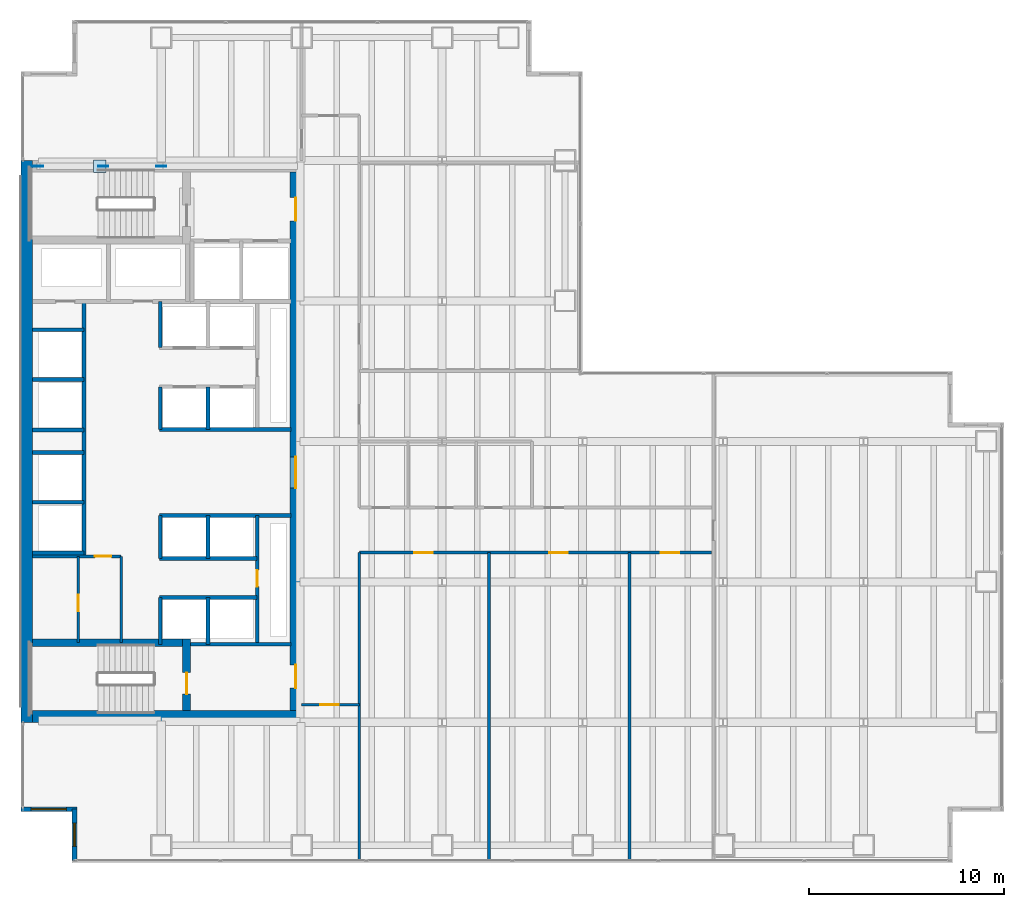
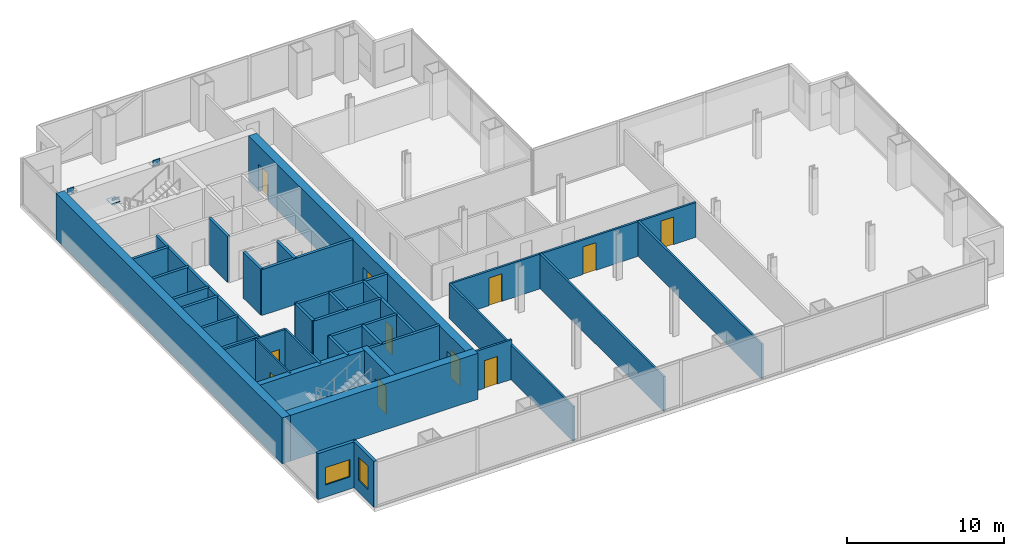
# One storey, part 20 of 25: 36 walls, 11 doors, 4 plates, 2 windows, 13 openings.
"""IFC4 building model written with IfcOpenShell, lengths in metres."""

from ifc_helpers import new_model, si_unit, direction, frame, frame_2d, origin, origin_2d, place, context, subcontext, project, spatial, rectangle, extrude, material, layer, layer_set, type_object, element, fill, save


model = new_model("IFC4")

# Units and contexts
model_context = context("Model", 3, precision=1e-05, world=origin(), true_north=direction((0.0, 1.0)))
body_context = subcontext(model_context, "Body", "Model", "MODEL_VIEW")
ifc_project = project(units=[si_unit("LENGTHUNIT", "METRE"), si_unit("AREAUNIT", "SQUARE_METRE"), si_unit("VOLUMEUNIT", "CUBIC_METRE"), si_unit("PLANEANGLEUNIT", "RADIAN"), si_unit("MASSUNIT", "GRAM", prefix="KILO")], contexts=[model_context])

# Site, building, storey
site_placement = place(None, origin())
site = spatial("IfcSite", under=ifc_project, at=site_placement, CompositionType="ELEMENT")
building_placement = place(site_placement, origin())
building = spatial("IfcBuilding", under=site, at=building_placement, Name="Cobrela Telecom Tower", CompositionType="ELEMENT")
storey_placement = place(building_placement, frame((0.0, 0.0, 42.699951171875)))
storey = spatial("IfcBuildingStorey", under=building, at=storey_placement, Name="L10", CompositionType="ELEMENT", Elevation=42.699951171875)

# Plates
ifc_material_1 = material(Name="Steel ASTM A572 Grade 50", Category="steel")
ifc_layer_1 = layer(ifc_material_1, 0.0419921875)
ifc_layer_set_1 = layer_set([ifc_layer_1], Name="Steel ASTM A572 Grade 50")
plate_type = type_object("IfcPlateType", Name="PLT-NODE-ND1", PredefinedType="USERDEFINED", material=ifc_layer_set_1)
for number, where, z_axis, x_axis, name in (
    (1, (7.199951171875, 35.699951171875, 3.35498046875), (0.0, 0.0, 1.0), (1.0, 0.0, 0.0), "Steel node plate PLT-MBR-EXO-L10-N1-A-1"),
    (2, (4.219482421875, 35.699951171875, 1.431640625), (0.0, 0.0, 1.0), (-1.0, 0.0, 0.0), "Steel node plate PLT-MBR-EXO-L10-N1-B1-1"),
    (3, (0.89990234375, 35.699951171875, 3.35498046875), (0.0, 0.0, 1.0), (-1.0, 0.0, 0.0), "Steel node plate PLT-MBR-EXO-L10-N1-B2-1"),
):
    element("IfcPlate", number, at=place(storey_placement, frame(where, z_axis=z_axis, x_axis=x_axis)), inside=storey, type_object=plate_type, Name=name, ObjectType="GUSSET PLATE", PredefinedType="USERDEFINED", context=body_context, shape_type="SweptSolid", body=[
        extrude(rectangle(XDim=0.510009765625, YDim=0.044921875, at=origin_2d()), origin(), (0.0, 0.0, 1.0), 0.510009765625),
    ])
plate_placement = place(storey_placement, frame((4.050048828125, 35.699951171875, 1.7626953125), z_axis=(0.0, 0.0, 1.0), x_axis=(1.0, 0.0, 0.0)))
element("IfcPlate", 4, at=plate_placement, inside=storey, type_object=plate_type, Name="L10 Core Flange Steel X-Brace Central X-Crossing Gusset Plate", ObjectType="GUSSET PLATE", PredefinedType="USERDEFINED", context=body_context, shape_type="SweptSolid", body=[
    extrude(rectangle(XDim=0.64990234375, YDim=0.64990234375, at=origin_2d()), origin(), (0.0, 0.0, 1.0), 0.044921875),
])

# Walls
ifc_material_2 = material(Name="Concrete C50/60", Category="concrete")
ifc_layer_2 = layer(ifc_material_2, 0.60009765625)
ifc_layer_set_2 = layer_set([ifc_layer_2], Name="Concrete C50/60")
wall_type_1 = type_object("IfcWallType", Name="WALL-CORE-C50-600", PredefinedType="SHEAR", material=ifc_layer_set_2)
wall_1_placement = place(storey_placement, frame((0.300048828125, 7.199951171875, 0.0), z_axis=(0.0, 0.0, 1.0), x_axis=(0.0, 1.0, 0.0)))
element("IfcWall", 5, at=wall_1_placement, inside=storey, type_object=wall_type_1, Name="L10 West Core Shear Wall", PredefinedType="SHEAR", context=body_context, shape_type="SweptSolid", body=[
    extrude(rectangle(XDim=28.800048828125, YDim=0.60009765625, at=frame_2d((14.39990234375, 0.0))), origin(), (0.0, 0.0, 1.0), 3.570068359375),
])
wall_2_placement = place(storey_placement, frame((0.60009765625, 7.5, 0.0), z_axis=(0.0, 0.0, 1.0), x_axis=(1.0, 0.0, 0.0)))
element("IfcWall", 6, at=wall_2_placement, inside=storey, type_object=wall_type_1, Name="L10 South Core Shear Wall", PredefinedType="SHEAR", context=body_context, shape_type="SweptSolid", body=[
    extrude(rectangle(XDim=13.7998046875, YDim=0.60009765625, at=frame_2d((6.89990234375, 0.0))), origin(), (0.0, 0.0, 1.0), 3.570068359375),
])

# Wall, openings, doors
wall_3_placement = place(storey_placement, frame((14.10009765625, 35.39990234375, 0.0), z_axis=(0.0, 0.0, 1.0), x_axis=(0.0, -1.0, 0.0)))
wall_3 = element("IfcWall", 7, at=wall_3_placement, inside=storey, type_object=wall_type_1, Name="L10 East Core Shear Wall", PredefinedType="SHEAR", context=body_context, shape_type="SweptSolid", body=[
    extrude(rectangle(XDim=27.599853515625, YDim=0.60009765625, at=frame_2d((13.7998046875, 0.0))), origin(), (0.0, 0.0, 1.0), 3.570068359375),
])
opening_1_placement = place(wall_3_placement, frame((1.300048828125, 0.0, 0.0)))
opening_1 = element("IfcOpeningElement", 8, at=opening_1_placement, cuts=wall_3, Name="Opening DR-19", PredefinedType="OPENING", context=body_context, shape_type="SweptSolid", body=[
    extrude(rectangle(XDim=1.199951171875, YDim=2.14990234375, at=frame_2d((0.60009765625, 1.074951171875))), frame((0.0, 0.31201171875, 0.0), z_axis=(0.0, -1.0, 0.0), x_axis=(1.0, 0.0, 0.0)), (0.0, 0.0, 1.0), 0.6240234375),
])
opening_2_placement = place(wall_3_placement, frame((25.25, 0.0, 0.0)))
opening_2 = element("IfcOpeningElement", 9, at=opening_2_placement, cuts=wall_3, Name="Opening DR-19", PredefinedType="OPENING", context=body_context, shape_type="SweptSolid", body=[
    extrude(rectangle(XDim=1.199951171875, YDim=2.14990234375, at=frame_2d((0.60009765625, 1.074951171875))), frame((0.0, 0.31201171875, 0.0), z_axis=(0.0, -1.0, 0.0), x_axis=(1.0, 0.0, 0.0)), (0.0, 0.0, 1.0), 0.6240234375),
])
opening_3_placement = place(wall_3_placement, frame((14.60009765625, 0.0, 0.0)))
opening_3 = element("IfcOpeningElement", 10, at=opening_3_placement, cuts=wall_3, Name="Opening DR-51", PredefinedType="OPENING", context=body_context, shape_type="SweptSolid", body=[
    extrude(rectangle(XDim=1.60009765625, YDim=2.199951171875, at=frame_2d((0.800048828125, 1.10009765625))), frame((0.0, 0.31201171875, 0.0), z_axis=(0.0, -1.0, 0.0), x_axis=(1.0, 0.0, 0.0)), (0.0, 0.0, 1.0), 0.6240234375),
])
ifc_material_3 = material(Name="Steel ASTM A36", Category="steel")
door_type_1 = type_object("IfcDoorType", Name="DOOR-FD60-1200", OperationType="SINGLE_SWING_LEFT", PredefinedType="DOOR", material=ifc_material_3)
door_1_placement = place(opening_1_placement, origin())
door_1 = element("IfcDoor", 11, at=door_1_placement, inside=storey, type_object=door_type_1, Name="L10 Door DR-19", OperationType="SINGLE_SWING_LEFT", OverallHeight=2.14990234375, OverallWidth=1.199951171875, PredefinedType="DOOR", context=body_context, shape_type="SweptSolid", body=[
    extrude(rectangle(XDim=1.199951171875, YDim=2.14990234375, at=frame_2d((0.60009765625, 1.074951171875))), frame((0.0, 0.02490234375, 0.0), z_axis=(0.0, -1.0, 0.0), x_axis=(1.0, 0.0, 0.0)), (0.0, 0.0, 1.0), 0.050048828125),
])
fill(opening_1, door_1)
door_2_placement = place(opening_2_placement, origin())
door_2 = element("IfcDoor", 12, at=door_2_placement, inside=storey, type_object=door_type_1, Name="L10 Door DR-19", OperationType="SINGLE_SWING_RIGHT", OverallHeight=2.14990234375, OverallWidth=1.199951171875, PredefinedType="DOOR", context=body_context, shape_type="SweptSolid", body=[
    extrude(rectangle(XDim=1.199951171875, YDim=2.14990234375, at=frame_2d((0.60009765625, 1.074951171875))), frame((0.0, 0.02490234375, 0.0), z_axis=(0.0, -1.0, 0.0), x_axis=(1.0, 0.0, 0.0)), (0.0, 0.0, 1.0), 0.050048828125),
])
fill(opening_2, door_2)
door_type_2 = type_object("IfcDoorType", Name="DOOR-FD60-1600", OperationType="SINGLE_SWING_LEFT", PredefinedType="DOOR", material=ifc_material_3)
door_3_placement = place(opening_3_placement, origin())
door_3 = element("IfcDoor", 13, at=door_3_placement, inside=storey, type_object=door_type_2, Name="L10 Door DR-51", OperationType="DOUBLE_DOOR_SINGLE_SWING", OverallHeight=2.199951171875, OverallWidth=1.60009765625, PredefinedType="DOOR", context=body_context, shape_type="SweptSolid", body=[
    extrude(rectangle(XDim=1.60009765625, YDim=2.199951171875, at=frame_2d((0.800048828125, 1.10009765625))), frame((0.0, 0.02490234375, 0.0), z_axis=(0.0, -1.0, 0.0), x_axis=(1.0, 0.0, 0.0)), (0.0, 0.0, 1.0), 0.050048828125),
])
fill(opening_3, door_3)

# Wall, opening, window
ifc_material_4 = material(Name="Concrete C40/50", Category="concrete")
ifc_layer_3 = layer(ifc_material_4, 0.239990234375)
ifc_layer_set_3 = layer_set([ifc_layer_3], Name="Concrete C40/50")
wall_type_2 = type_object("IfcWallType", Name="WALL-EXT-300", PredefinedType="STANDARD", material=ifc_layer_set_3)
wall_4_placement = place(storey_placement, frame((2.75, 0.1201171875, 0.0), z_axis=(0.0, 0.0, 1.0), x_axis=(0.0, 1.0, 0.0)))
wall_4 = element("IfcWall", 14, at=wall_4_placement, inside=storey, type_object=wall_type_2, Name="L10 Insulated Facade Wall 01", PredefinedType="STANDARD", context=body_context, shape_type="SweptSolid", body=[
    extrude(rectangle(XDim=2.6298828125, YDim=0.239990234375, at=frame_2d((1.31494140625, 0.0))), origin(), (0.0, 0.0, 1.0), 3.570068359375),
])
opening_4_placement = place(wall_4_placement, frame((0.715087890625, 0.0, 0.949951171875)))
opening_4 = element("IfcOpeningElement", 15, at=opening_4_placement, cuts=wall_4, Name="Opening WN-19", PredefinedType="OPENING", context=body_context, shape_type="SweptSolid", body=[
    extrude(rectangle(XDim=1.199951171875, YDim=1.800048828125, at=frame_2d((0.60009765625, 0.89990234375))), frame((0.0, 0.1318359375, 0.0), z_axis=(0.0, -1.0, 0.0), x_axis=(1.0, 0.0, 0.0)), (0.0, 0.0, 1.0), 0.263916015625),
])
ifc_material_5 = material(Name="Solar-Control Bronze Low-E Glass", Category="glass")
window_type_1 = type_object("IfcWindowType", Name="WIN-MOD-1200", PartitioningType="SINGLE_PANEL", PredefinedType="WINDOW", material=ifc_material_5)
window_1_placement = place(opening_4_placement, origin())
window_1 = element("IfcWindow", 16, at=window_1_placement, inside=storey, type_object=window_type_1, Name="L10 Corner Notch Facade Window 040", OverallHeight=1.800048828125, OverallWidth=1.199951171875, PartitioningType="SINGLE_PANEL", PredefinedType="WINDOW", context=body_context, shape_type="SweptSolid", body=[
    extrude(rectangle(XDim=1.199951171875, YDim=1.800048828125, at=frame_2d((0.60009765625, 0.89990234375))), frame((0.0, 0.030029296875, 0.0), z_axis=(0.0, -1.0, 0.0), x_axis=(1.0, 0.0, 0.0)), (0.0, 0.0, 1.0), 0.06005859375),
])
fill(opening_4, window_1)

wall_5_placement = place(storey_placement, frame((2.8701171875, 2.75, 0.0), z_axis=(0.0, 0.0, 1.0), x_axis=(-1.0, 0.0, 0.0)))
wall_5 = element("IfcWall", 17, at=wall_5_placement, inside=storey, type_object=wall_type_2, Name="L10 Insulated Facade Wall 02", PredefinedType="STANDARD", context=body_context, shape_type="SweptSolid", body=[
    extrude(rectangle(XDim=2.8701171875, YDim=0.239990234375, at=frame_2d((1.43505859375, 0.0))), origin(), (0.0, 0.0, 1.0), 3.570068359375),
])
opening_5_placement = place(wall_5_placement, frame((0.534912109375, 0.0, 0.949951171875)))
opening_5 = element("IfcOpeningElement", 18, at=opening_5_placement, cuts=wall_5, Name="Opening WN-27", PredefinedType="OPENING", context=body_context, shape_type="SweptSolid", body=[
    extrude(rectangle(XDim=1.800048828125, YDim=1.35009765625, at=frame_2d((0.89990234375, 0.675048828125))), frame((0.0, 0.1318359375, 0.0), z_axis=(0.0, -1.0, 0.0), x_axis=(1.0, 0.0, 0.0)), (0.0, 0.0, 1.0), 0.263916015625),
])
window_type_2 = type_object("IfcWindowType", Name="WIN-CLER-1800", PartitioningType="SINGLE_PANEL", PredefinedType="WINDOW", material=ifc_material_5)
window_2_placement = place(opening_5_placement, origin())
window_2 = element("IfcWindow", 19, at=window_2_placement, inside=storey, type_object=window_type_2, Name="L10 Corner Notch Facade Window 041", OverallHeight=1.35009765625, OverallWidth=1.800048828125, PartitioningType="SINGLE_PANEL", PredefinedType="WINDOW", context=body_context, shape_type="SweptSolid", body=[
    extrude(rectangle(XDim=1.800048828125, YDim=1.35009765625, at=frame_2d((0.89990234375, 0.675048828125))), frame((0.0, 0.030029296875, 0.0), z_axis=(0.0, -1.0, 0.0), x_axis=(1.0, 0.0, 0.0)), (0.0, 0.0, 1.0), 0.06005859375),
])
fill(opening_5, window_2)

# Wall, opening, door
ifc_material_6 = material(Name="Fire-Rated Gypsum Plasterboard")
ifc_layer_4 = layer(ifc_material_6, 0.125)
ifc_layer_set_4 = layer_set([ifc_layer_4], Name="Fire-Rated Gypsum Plasterboard")
wall_type_3 = type_object("IfcWallType", Name="WALL-PART-125", PredefinedType="PARTITIONING", material=ifc_layer_set_4)
wall_6_placement = place(storey_placement, frame((2.949951171875, 11.280029296875, 0.0), z_axis=(0.0, 0.0, 1.0), x_axis=(0.0, 1.0, 0.0)))
wall_6 = element("IfcWall", 20, at=wall_6_placement, inside=storey, type_object=wall_type_3, Name="L10 Interior Partition CW-FK1-V", PredefinedType="PARTITIONING", context=body_context, shape_type="SweptSolid", body=[
    extrude(rectangle(XDim=4.419921875, YDim=0.125, at=frame_2d((2.2099609375, 0.0))), origin(), (0.0, 0.0, 1.0), 3.570068359375),
])
opening_6_placement = place(wall_6_placement, frame((1.60009765625, 0.0, 0.0)))
opening_6 = element("IfcOpeningElement", 21, at=opening_6_placement, cuts=wall_6, Name="Opening DR-11", PredefinedType="OPENING", context=body_context, shape_type="SweptSolid", body=[
    extrude(rectangle(XDim=0.85009765625, YDim=2.14990234375, at=frame_2d((0.425048828125, 1.074951171875))), frame((0.0, 0.074462890625, 0.0), z_axis=(0.0, -1.0, 0.0), x_axis=(1.0, 0.0, 0.0)), (0.0, 0.0, 1.0), 0.14892578125),
])
ifc_material_7 = material(Name="Solid Engineered Oak Timber", Category="wood")
door_type_3 = type_object("IfcDoorType", Name="DOOR-INT-850", OperationType="SINGLE_SWING_LEFT", PredefinedType="DOOR", material=ifc_material_7)
door_4_placement = place(opening_6_placement, origin())
door_4 = element("IfcDoor", 22, at=door_4_placement, inside=storey, type_object=door_type_3, Name="L10 Door DR-11", OperationType="SINGLE_SWING_RIGHT", OverallHeight=2.14990234375, OverallWidth=0.85009765625, PredefinedType="DOOR", context=body_context, shape_type="SweptSolid", body=[
    extrude(rectangle(XDim=0.85009765625, YDim=2.14990234375, at=frame_2d((0.425048828125, 1.074951171875))), frame((0.0, 0.02490234375, 0.0), z_axis=(0.0, -1.0, 0.0), x_axis=(1.0, 0.0, 0.0)), (0.0, 0.0, 1.0), 0.050048828125),
])
fill(opening_6, door_4)

ifc_layer_5 = layer(ifc_material_6, 0.14990234375)
ifc_layer_set_5 = layer_set([ifc_layer_5], Name="Fire-Rated Gypsum Plasterboard")
wall_type_4 = type_object("IfcWallType", Name="WALL-PART-150", PredefinedType="PARTITIONING", material=ifc_layer_set_5)
wall_7_placement = place(storey_placement, frame((0.60009765625, 15.699951171875, 0.0), z_axis=(0.0, 0.0, 1.0), x_axis=(1.0, 0.0, 0.0)))
wall_7 = element("IfcWall", 23, at=wall_7_placement, inside=storey, type_object=wall_type_4, Name="L10 Interior Partition CW-FLEX-N", PredefinedType="PARTITIONING", context=body_context, shape_type="SweptSolid", body=[
    extrude(rectangle(XDim=4.5498046875, YDim=0.14990234375, at=frame_2d((2.27490234375, 0.0))), origin(), (0.0, 0.0, 1.0), 3.570068359375),
])
opening_7_placement = place(wall_7_placement, frame((3.199951171875, 0.0, 0.0)))
opening_7 = element("IfcOpeningElement", 24, at=opening_7_placement, cuts=wall_7, Name="Opening DR-11", PredefinedType="OPENING", context=body_context, shape_type="SweptSolid", body=[
    extrude(rectangle(XDim=0.85009765625, YDim=2.14990234375, at=frame_2d((0.425048828125, 1.074951171875))), frame((0.0, 0.0869140625, 0.0), z_axis=(0.0, -1.0, 0.0), x_axis=(1.0, 0.0, 0.0)), (0.0, 0.0, 1.0), 0.173828125),
])
door_5_placement = place(opening_7_placement, origin())
door_5 = element("IfcDoor", 25, at=door_5_placement, inside=storey, type_object=door_type_3, Name="L10 Door DR-11", OperationType="SINGLE_SWING_LEFT", OverallHeight=2.14990234375, OverallWidth=0.85009765625, PredefinedType="DOOR", context=body_context, shape_type="SweptSolid", body=[
    extrude(rectangle(XDim=0.85009765625, YDim=2.14990234375, at=frame_2d((0.425048828125, 1.074951171875))), frame((0.0, 0.02490234375, 0.0), z_axis=(0.0, -1.0, 0.0), x_axis=(1.0, 0.0, 0.0)), (0.0, 0.0, 1.0), 0.050048828125),
])
fill(opening_7, door_5)

# Wall
wall_8_placement = place(storey_placement, frame((5.14990234375, 11.280029296875, 0.0), z_axis=(0.0, 0.0, 1.0), x_axis=(0.0, 1.0, 0.0)))
element("IfcWall", 26, at=wall_8_placement, inside=storey, type_object=wall_type_4, Name="L10 Interior Partition CW-FLEX-E", PredefinedType="PARTITIONING", context=body_context, shape_type="SweptSolid", body=[
    extrude(rectangle(XDim=4.419921875, YDim=0.14990234375, at=frame_2d((2.2099609375, 0.0))), origin(), (0.0, 0.0, 1.0), 3.570068359375),
])

# Wall, opening, door
wall_9_placement = place(storey_placement, frame((14.39990234375, 8.10009765625, 0.0), z_axis=(0.0, 0.0, 1.0), x_axis=(1.0, 0.0, 0.0)))
wall_9 = element("IfcWall", 27, at=wall_9_placement, inside=storey, type_object=wall_type_4, Name="L10 Interior Partition W-C-S0", PredefinedType="PARTITIONING", context=body_context, shape_type="SweptSolid", body=[
    extrude(rectangle(XDim=2.9501953125, YDim=0.14990234375, at=frame_2d((1.47509765625, 0.0))), origin(), (0.0, 0.0, 1.0), 3.088134765625),
])
opening_8_placement = place(wall_9_placement, frame((0.949951171875, 0.0, 0.0)))
opening_8 = element("IfcOpeningElement", 28, at=opening_8_placement, cuts=wall_9, Name="Opening DR-67", PredefinedType="OPENING", context=body_context, shape_type="SweptSolid", body=[
    extrude(rectangle(XDim=0.949951171875, YDim=2.14990234375, at=frame_2d((0.47509765625, 1.074951171875))), frame((0.0, 0.0869140625, 0.0), z_axis=(0.0, -1.0, 0.0), x_axis=(1.0, 0.0, 0.0)), (0.0, 0.0, 1.0), 0.173828125),
])
door_type_4 = type_object("IfcDoorType", Name="DOOR-INT-950", OperationType="SINGLE_SWING_LEFT", PredefinedType="DOOR", material=ifc_material_7)
door_6_placement = place(opening_8_placement, origin())
door_6 = element("IfcDoor", 29, at=door_6_placement, inside=storey, type_object=door_type_4, Name="L10 Door DR-67", OperationType="SINGLE_SWING_RIGHT", OverallHeight=2.14990234375, OverallWidth=0.949951171875, PredefinedType="DOOR", context=body_context, shape_type="SweptSolid", body=[
    extrude(rectangle(XDim=0.949951171875, YDim=2.14990234375, at=frame_2d((0.47509765625, 1.074951171875))), frame((0.0, 0.02490234375, 0.0), z_axis=(0.0, -1.0, 0.0), x_axis=(1.0, 0.0, 0.0)), (0.0, 0.0, 1.0), 0.050048828125),
])
fill(opening_8, door_6)

# Wall
wall_10_placement = place(storey_placement, frame((17.35009765625, 8.10009765625, 0.0), z_axis=(0.0, 0.0, 1.0), x_axis=(0.0, 1.0, 0.0)))
element("IfcWall", 30, at=wall_10_placement, inside=storey, type_object=wall_type_4, Name="L10 Interior Partition W-C-E1", PredefinedType="PARTITIONING", context=body_context, shape_type="SweptSolid", body=[
    extrude(rectangle(XDim=7.7998046875, YDim=0.14990234375, at=frame_2d((3.89990234375, 0.0))), origin(), (0.0, 0.0, 1.0), 2.698974609375),
])

# Wall, openings, doors
wall_11_placement = place(storey_placement, frame((17.35009765625, 15.89990234375, 0.0), z_axis=(0.0, 0.0, 1.0), x_axis=(1.0, 0.0, 0.0)))
wall_11 = element("IfcWall", 31, at=wall_11_placement, inside=storey, type_object=wall_type_4, Name="L10 Interior Partition W-C-HS", PredefinedType="PARTITIONING", context=body_context, shape_type="SweptSolid", body=[
    extrude(rectangle(XDim=18.0498046875, YDim=0.14990234375, at=frame_2d((9.02490234375, 0.0))), origin(), (0.0, 0.0, 1.0), 2.698974609375),
])
opening_9_placement = place(wall_11_placement, frame((2.820068359375, 0.0, 0.0)))
opening_9 = element("IfcOpeningElement", 32, at=opening_9_placement, cuts=wall_11, Name="Opening DR-67", PredefinedType="OPENING", context=body_context, shape_type="SweptSolid", body=[
    extrude(rectangle(XDim=0.949951171875, YDim=2.14990234375, at=frame_2d((0.47509765625, 1.074951171875))), frame((0.0, 0.0869140625, 0.0), z_axis=(0.0, -1.0, 0.0), x_axis=(1.0, 0.0, 0.0)), (0.0, 0.0, 1.0), 0.173828125),
])
opening_10_placement = place(wall_11_placement, frame((9.75, 0.0, 0.0)))
opening_10 = element("IfcOpeningElement", 33, at=opening_10_placement, cuts=wall_11, Name="Opening DR-67", PredefinedType="OPENING", context=body_context, shape_type="SweptSolid", body=[
    extrude(rectangle(XDim=0.949951171875, YDim=2.14990234375, at=frame_2d((0.47509765625, 1.074951171875))), frame((0.0, 0.0869140625, 0.0), z_axis=(0.0, -1.0, 0.0), x_axis=(1.0, 0.0, 0.0)), (0.0, 0.0, 1.0), 0.173828125),
])
opening_11_placement = place(wall_11_placement, frame((15.449951171875, 0.0, 0.0)))
opening_11 = element("IfcOpeningElement", 34, at=opening_11_placement, cuts=wall_11, Name="Opening DR-67", PredefinedType="OPENING", context=body_context, shape_type="SweptSolid", body=[
    extrude(rectangle(XDim=0.949951171875, YDim=2.14990234375, at=frame_2d((0.47509765625, 1.074951171875))), frame((0.0, 0.0869140625, 0.0), z_axis=(0.0, -1.0, 0.0), x_axis=(1.0, 0.0, 0.0)), (0.0, 0.0, 1.0), 0.173828125),
])
door_7_placement = place(opening_9_placement, origin())
door_7 = element("IfcDoor", 35, at=door_7_placement, inside=storey, type_object=door_type_4, Name="L10 Door DR-67", OperationType="SINGLE_SWING_LEFT", OverallHeight=2.14990234375, OverallWidth=0.949951171875, PredefinedType="DOOR", context=body_context, shape_type="SweptSolid", body=[
    extrude(rectangle(XDim=0.949951171875, YDim=2.14990234375, at=frame_2d((0.47509765625, 1.074951171875))), frame((0.0, 0.02490234375, 0.0), z_axis=(0.0, -1.0, 0.0), x_axis=(1.0, 0.0, 0.0)), (0.0, 0.0, 1.0), 0.050048828125),
])
fill(opening_9, door_7)
door_8_placement = place(opening_10_placement, origin())
door_8 = element("IfcDoor", 36, at=door_8_placement, inside=storey, type_object=door_type_4, Name="L10 Door DR-67", OperationType="SINGLE_SWING_RIGHT", OverallHeight=2.14990234375, OverallWidth=0.949951171875, PredefinedType="DOOR", context=body_context, shape_type="SweptSolid", body=[
    extrude(rectangle(XDim=0.949951171875, YDim=2.14990234375, at=frame_2d((0.47509765625, 1.074951171875))), frame((0.0, 0.02490234375, 0.0), z_axis=(0.0, -1.0, 0.0), x_axis=(1.0, 0.0, 0.0)), (0.0, 0.0, 1.0), 0.050048828125),
])
fill(opening_10, door_8)
door_9_placement = place(opening_11_placement, origin())
door_9 = element("IfcDoor", 37, at=door_9_placement, inside=storey, type_object=door_type_4, Name="L10 Door DR-67", OperationType="SINGLE_SWING_LEFT", OverallHeight=2.14990234375, OverallWidth=0.949951171875, PredefinedType="DOOR", context=body_context, shape_type="SweptSolid", body=[
    extrude(rectangle(XDim=0.949951171875, YDim=2.14990234375, at=frame_2d((0.47509765625, 1.074951171875))), frame((0.0, 0.02490234375, 0.0), z_axis=(0.0, -1.0, 0.0), x_axis=(1.0, 0.0, 0.0)), (0.0, 0.0, 1.0), 0.050048828125),
])
fill(opening_11, door_9)

# Walls
wall_12_placement = place(storey_placement, frame((17.35009765625, 0.1201171875, 0.0), z_axis=(0.0, 0.0, 1.0), x_axis=(0.0, 1.0, 0.0)))
element("IfcWall", 38, at=wall_12_placement, inside=storey, type_object=wall_type_4, Name="L10 Interior Partition W-SW-E", PredefinedType="PARTITIONING", context=body_context, shape_type="SweptSolid", body=[
    extrude(rectangle(XDim=7.97998046875, YDim=0.14990234375, at=frame_2d((3.989990234375, 0.0))), origin(), (0.0, 0.0, 1.0), 2.698974609375),
])
for number, where, z_axis, x_axis, name in (
    (39, (24.0, 0.1201171875, 0.0), (0.0, 0.0, 1.0), (0.0, 1.0, 0.0), "L10 Interior Partition W-SV-1"),
    (40, (31.199951171875, 0.1201171875, 0.0), (0.0, 0.0, 1.0), (0.0, 1.0, 0.0), "L10 Interior Partition W-SV-2"),
):
    element("IfcWall", number, at=place(storey_placement, frame(where, z_axis=z_axis, x_axis=x_axis)), inside=storey, type_object=wall_type_4, Name=name, PredefinedType="PARTITIONING", context=body_context, shape_type="SweptSolid", body=[
        extrude(rectangle(XDim=15.77978515625, YDim=0.14990234375, at=frame_2d((7.889892578125, 0.0))), origin(), (0.0, 0.0, 1.0), 2.698974609375),
    ])
ifc_layer_6 = layer(ifc_material_6, 0.199951171875)
ifc_layer_set_6 = layer_set([ifc_layer_6], Name="Fire-Rated Gypsum Plasterboard")
wall_type_5 = type_object("IfcWallType", Name="WALL-SHAFT-200", PredefinedType="PARTITIONING", material=ifc_layer_set_6)
wall_13_placement = place(storey_placement, frame((8.699951171875, 11.199951171875, 0.0), z_axis=(0.0, 0.0, 1.0), x_axis=(1.0, 0.0, 0.0)))
element("IfcWall", 41, at=wall_13_placement, inside=storey, type_object=wall_type_5, Name="L10 Shaft Enclosure CW-ST2L-N", PredefinedType="PARTITIONING", context=body_context, shape_type="SweptSolid", body=[
    extrude(rectangle(XDim=5.150146484375, YDim=0.199951171875, at=frame_2d((2.5751953125, 0.0))), origin(), (0.0, 0.0, 1.0), 3.570068359375),
])
wall_14_placement = place(storey_placement, frame((3.25, 15.699951171875, 0.0), z_axis=(0.0, 0.0, 1.0), x_axis=(0.0, 1.0, 0.0)))
element("IfcWall", 42, at=wall_14_placement, inside=storey, type_object=wall_type_5, Name="L10 Shaft Enclosure CW-PLH-E", PredefinedType="PARTITIONING", context=body_context, shape_type="SweptSolid", body=[
    extrude(rectangle(XDim=13.080078125, YDim=0.199951171875, at=frame_2d((6.5400390625, 0.0))), origin(), (0.0, 0.0, 1.0), 3.570068359375),
])
for number, where, z_axis, x_axis, name in (
    (43, (0.60009765625, 15.8798828125, 0.0), (0.0, 0.0, 1.0), (1.0, 0.0, 0.0), "L10 Shaft Enclosure CW-PLH-D9"),
    (44, (0.60009765625, 18.47998046875, 0.0), (0.0, 0.0, 1.0), (1.0, 0.0, 0.0), "L10 Shaft Enclosure CW-PLH-D10"),
    (45, (0.60009765625, 22.179931640625, 0.0), (0.0, 0.0, 1.0), (1.0, 0.0, 0.0), "L10 Shaft Enclosure CW-PLH-D11"),
    (46, (0.60009765625, 24.780029296875, 0.0), (0.0, 0.0, 1.0), (1.0, 0.0, 0.0), "L10 Shaft Enclosure CW-PLH-D12"),
    (47, (0.60009765625, 21.02001953125, 0.0), (0.0, 0.0, 1.0), (1.0, 0.0, 0.0), "L10 Shaft Enclosure CW-PLH-MID"),
    (48, (0.60009765625, 27.320068359375, 0.0), (0.0, 0.0, 1.0), (1.0, 0.0, 0.0), "L10 Shaft Enclosure CW-PLH-TOP"),
):
    element("IfcWall", number, at=place(storey_placement, frame(where, z_axis=z_axis, x_axis=x_axis)), inside=storey, type_object=wall_type_5, Name=name, PredefinedType="PARTITIONING", context=body_context, shape_type="SweptSolid", body=[
        extrude(rectangle(XDim=2.64990234375, YDim=0.199951171875, at=frame_2d((1.324951171875, 0.0))), origin(), (0.0, 0.0, 1.0), 3.570068359375),
    ])
wall_15_placement = place(storey_placement, frame((7.10009765625, 22.199951171875, 0.0), z_axis=(0.0, 0.0, 1.0), x_axis=(1.0, 0.0, 0.0)))
element("IfcWall", 49, at=wall_15_placement, inside=storey, type_object=wall_type_5, Name="L10 Shaft Enclosure CW-PLL-B0", PredefinedType="PARTITIONING", context=body_context, shape_type="SweptSolid", body=[
    extrude(rectangle(XDim=6.75, YDim=0.199951171875, at=frame_2d((3.375, 0.0))), origin(), (0.0, 0.0, 1.0), 3.570068359375),
])
wall_16_placement = place(storey_placement, frame((7.14990234375, 22.199951171875, 0.0), z_axis=(0.0, 0.0, 1.0), x_axis=(0.0, 1.0, 0.0)))
element("IfcWall", 50, at=wall_16_placement, inside=storey, type_object=wall_type_5, Name="L10 Shaft Enclosure CW-PLL-V1", PredefinedType="PARTITIONING", context=body_context, shape_type="SweptSolid", body=[
    extrude(rectangle(XDim=2.199951171875, YDim=0.199951171875, at=frame_2d((1.10009765625, 0.0))), origin(), (0.0, 0.0, 1.0), 3.570068359375),
])
wall_17_placement = place(storey_placement, frame((7.14990234375, 26.39990234375, 0.0), z_axis=(0.0, 0.0, 1.0), x_axis=(0.0, 1.0, 0.0)))
element("IfcWall", 51, at=wall_17_placement, inside=storey, type_object=wall_type_5, Name="L10 Shaft Enclosure CW-PLL-V1B", PredefinedType="PARTITIONING", context=body_context, shape_type="SweptSolid", body=[
    extrude(rectangle(XDim=2.380126953125, YDim=0.199951171875, at=frame_2d((1.18994140625, 0.0))), origin(), (0.0, 0.0, 1.0), 3.570068359375),
])
wall_18_placement = place(storey_placement, frame((9.60009765625, 22.199951171875, 0.0), z_axis=(0.0, 0.0, 1.0), x_axis=(0.0, 1.0, 0.0)))
element("IfcWall", 52, at=wall_18_placement, inside=storey, type_object=wall_type_5, Name="L10 Shaft Enclosure CW-PLL-V2", PredefinedType="PARTITIONING", context=body_context, shape_type="SweptSolid", body=[
    extrude(rectangle(XDim=2.199951171875, YDim=0.199951171875, at=frame_2d((1.10009765625, 0.0))), origin(), (0.0, 0.0, 1.0), 3.570068359375),
])
wall_19_placement = place(storey_placement, frame((7.10009765625, 17.800048828125, 0.0), z_axis=(0.0, 0.0, 1.0), x_axis=(1.0, 0.0, 0.0)))
element("IfcWall", 53, at=wall_19_placement, inside=storey, type_object=wall_type_5, Name="L10 Shaft Enclosure CW-PLM-T0", PredefinedType="PARTITIONING", context=body_context, shape_type="SweptSolid", body=[
    extrude(rectangle(XDim=6.75, YDim=0.199951171875, at=frame_2d((3.375, 0.0))), origin(), (0.0, 0.0, 1.0), 3.570068359375),
])
for number, where, z_axis, x_axis, name in (
    (54, (7.10009765625, 15.60009765625, 0.0), (0.0, 0.0, 1.0), (1.0, 0.0, 0.0), "L10 Shaft Enclosure CW-PLM-N"),
    (55, (7.10009765625, 13.60009765625, 0.0), (0.0, 0.0, 1.0), (1.0, 0.0, 0.0), "L10 Shaft Enclosure CW-PLM-S"),
):
    element("IfcWall", number, at=place(storey_placement, frame(where, z_axis=z_axis, x_axis=x_axis)), inside=storey, type_object=wall_type_5, Name=name, PredefinedType="PARTITIONING", context=body_context, shape_type="SweptSolid", body=[
        extrude(rectangle(XDim=5.02001953125, YDim=0.199951171875, at=frame_2d((2.510009765625, 0.0))), origin(), (0.0, 0.0, 1.0), 3.570068359375),
    ])
wall_20_placement = place(storey_placement, frame((7.14990234375, 15.60009765625, 0.0), z_axis=(0.0, 0.0, 1.0), x_axis=(0.0, 1.0, 0.0)))
element("IfcWall", 56, at=wall_20_placement, inside=storey, type_object=wall_type_5, Name="L10 Shaft Enclosure CW-PLM-V1", PredefinedType="PARTITIONING", context=body_context, shape_type="SweptSolid", body=[
    extrude(rectangle(XDim=2.199951171875, YDim=0.199951171875, at=frame_2d((1.10009765625, 0.0))), origin(), (0.0, 0.0, 1.0), 3.570068359375),
])
wall_21_placement = place(storey_placement, frame((7.14990234375, 11.199951171875, 0.0), z_axis=(0.0, 0.0, 1.0), x_axis=(0.0, 1.0, 0.0)))
element("IfcWall", 57, at=wall_21_placement, inside=storey, type_object=wall_type_5, Name="L10 Shaft Enclosure CW-PLM-V1B", PredefinedType="PARTITIONING", context=body_context, shape_type="SweptSolid", body=[
    extrude(rectangle(XDim=2.400146484375, YDim=0.199951171875, at=frame_2d((1.2001953125, 0.0))), origin(), (0.0, 0.0, 1.0), 3.570068359375),
])
wall_22_placement = place(storey_placement, frame((9.60009765625, 15.60009765625, 0.0), z_axis=(0.0, 0.0, 1.0), x_axis=(0.0, 1.0, 0.0)))
element("IfcWall", 58, at=wall_22_placement, inside=storey, type_object=wall_type_5, Name="L10 Shaft Enclosure CW-PLM-V2", PredefinedType="PARTITIONING", context=body_context, shape_type="SweptSolid", body=[
    extrude(rectangle(XDim=2.199951171875, YDim=0.199951171875, at=frame_2d((1.10009765625, 0.0))), origin(), (0.0, 0.0, 1.0), 3.570068359375),
])
wall_23_placement = place(storey_placement, frame((9.60009765625, 11.199951171875, 0.0), z_axis=(0.0, 0.0, 1.0), x_axis=(0.0, 1.0, 0.0)))
element("IfcWall", 59, at=wall_23_placement, inside=storey, type_object=wall_type_5, Name="L10 Shaft Enclosure CW-PLM-V2B", PredefinedType="PARTITIONING", context=body_context, shape_type="SweptSolid", body=[
    extrude(rectangle(XDim=2.400146484375, YDim=0.199951171875, at=frame_2d((1.2001953125, 0.0))), origin(), (0.0, 0.0, 1.0), 3.570068359375),
])

# Wall, opening, door
wall_24_placement = place(storey_placement, frame((12.1201171875, 11.199951171875, 0.0), z_axis=(0.0, 0.0, 1.0), x_axis=(0.0, 1.0, 0.0)))
wall_24 = element("IfcWall", 60, at=wall_24_placement, inside=storey, type_object=wall_type_5, Name="L10 Shaft Enclosure CW-PLM-V3", PredefinedType="PARTITIONING", context=body_context, shape_type="SweptSolid", body=[
    extrude(rectangle(XDim=6.60009765625, YDim=0.199951171875, at=frame_2d((3.300048828125, 0.0))), origin(), (0.0, 0.0, 1.0), 3.570068359375),
])
opening_12_placement = place(wall_24_placement, frame((2.949951171875, 0.0, 0.0)))
opening_12 = element("IfcOpeningElement", 61, at=opening_12_placement, cuts=wall_24, Name="Opening DR-11", PredefinedType="OPENING", context=body_context, shape_type="SweptSolid", body=[
    extrude(rectangle(XDim=0.85009765625, YDim=2.14990234375, at=frame_2d((0.425048828125, 1.074951171875))), frame((0.0, 0.11181640625, 0.0), z_axis=(0.0, -1.0, 0.0), x_axis=(1.0, 0.0, 0.0)), (0.0, 0.0, 1.0), 0.223876953125),
])
door_10_placement = place(opening_12_placement, origin())
door_10 = element("IfcDoor", 62, at=door_10_placement, inside=storey, type_object=door_type_3, Name="L10 Door DR-11", OperationType="SINGLE_SWING_RIGHT", OverallHeight=2.14990234375, OverallWidth=0.85009765625, PredefinedType="DOOR", context=body_context, shape_type="SweptSolid", body=[
    extrude(rectangle(XDim=0.85009765625, YDim=2.14990234375, at=frame_2d((0.425048828125, 1.074951171875))), frame((0.0, 0.02490234375, 0.0), z_axis=(0.0, -1.0, 0.0), x_axis=(1.0, 0.0, 0.0)), (0.0, 0.0, 1.0), 0.050048828125),
])
fill(opening_12, door_10)

# Wall
ifc_layer_7 = layer(ifc_material_4, 0.39990234375)
ifc_layer_set_7 = layer_set([ifc_layer_7], Name="Concrete C40/50")
wall_type_6 = type_object("IfcWallType", Name="WALL-SHAFT-C40-400", PredefinedType="SHEAR", material=ifc_layer_set_7)
wall_25_placement = place(storey_placement, frame((0.60009765625, 11.280029296875, 0.0), z_axis=(0.0, 0.0, 1.0), x_axis=(1.0, 0.0, 0.0)))
element("IfcWall", 63, at=wall_25_placement, inside=storey, type_object=wall_type_6, Name="L10 South Stair Shear Wall", PredefinedType="SHEAR", context=body_context, shape_type="SweptSolid", body=[
    extrude(rectangle(XDim=7.699951171875, YDim=0.39990234375, at=frame_2d((3.85009765625, 0.0))), origin(), (0.0, 0.0, 1.0), 3.570068359375),
])

# Wall, opening, door
wall_26_placement = place(storey_placement, frame((8.5, 7.800048828125, 0.0), z_axis=(0.0, 0.0, 1.0), x_axis=(0.0, 1.0, 0.0)))
wall_26 = element("IfcWall", 64, at=wall_26_placement, inside=storey, type_object=wall_type_6, Name="L10 South Stair Lobby Shear Wall", PredefinedType="SHEAR", context=body_context, shape_type="SweptSolid", body=[
    extrude(rectangle(XDim=3.679931640625, YDim=0.39990234375, at=frame_2d((1.83984375, 0.0))), origin(), (0.0, 0.0, 1.0), 3.570068359375),
])
opening_13_placement = place(wall_26_placement, frame((0.85009765625, 0.0, 0.0)))
opening_13 = element("IfcOpeningElement", 65, at=opening_13_placement, cuts=wall_26, Name="Opening FD-90", PredefinedType="OPENING", context=body_context, shape_type="SweptSolid", body=[
    extrude(rectangle(XDim=1.10009765625, YDim=2.14990234375, at=frame_2d((0.550048828125, 1.074951171875))), frame((0.0, 0.2119140625, 0.0), z_axis=(0.0, -1.0, 0.0), x_axis=(1.0, 0.0, 0.0)), (0.0, 0.0, 1.0), 0.423828125),
])
door_type_5 = type_object("IfcDoorType", Name="DOOR-FD90-1100", OperationType="SINGLE_SWING_LEFT", PredefinedType="DOOR", material=ifc_material_3)
door_11_placement = place(opening_13_placement, origin())
door_11 = element("IfcDoor", 66, at=door_11_placement, inside=storey, type_object=door_type_5, Name="L10 Door FD-90", OperationType="SINGLE_SWING_LEFT", OverallHeight=2.14990234375, OverallWidth=1.10009765625, PredefinedType="DOOR", context=body_context, shape_type="SweptSolid", body=[
    extrude(rectangle(XDim=1.10009765625, YDim=2.14990234375, at=frame_2d((0.550048828125, 1.074951171875))), frame((0.0, 0.02490234375, 0.0), z_axis=(0.0, -1.0, 0.0), x_axis=(1.0, 0.0, 0.0)), (0.0, 0.0, 1.0), 0.050048828125),
])
fill(opening_13, door_11)

save(model, "model.ifc")
